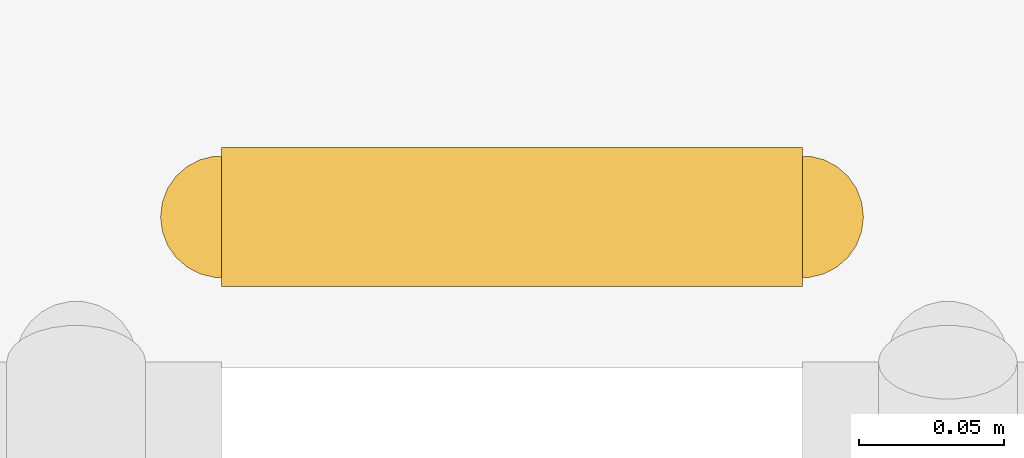
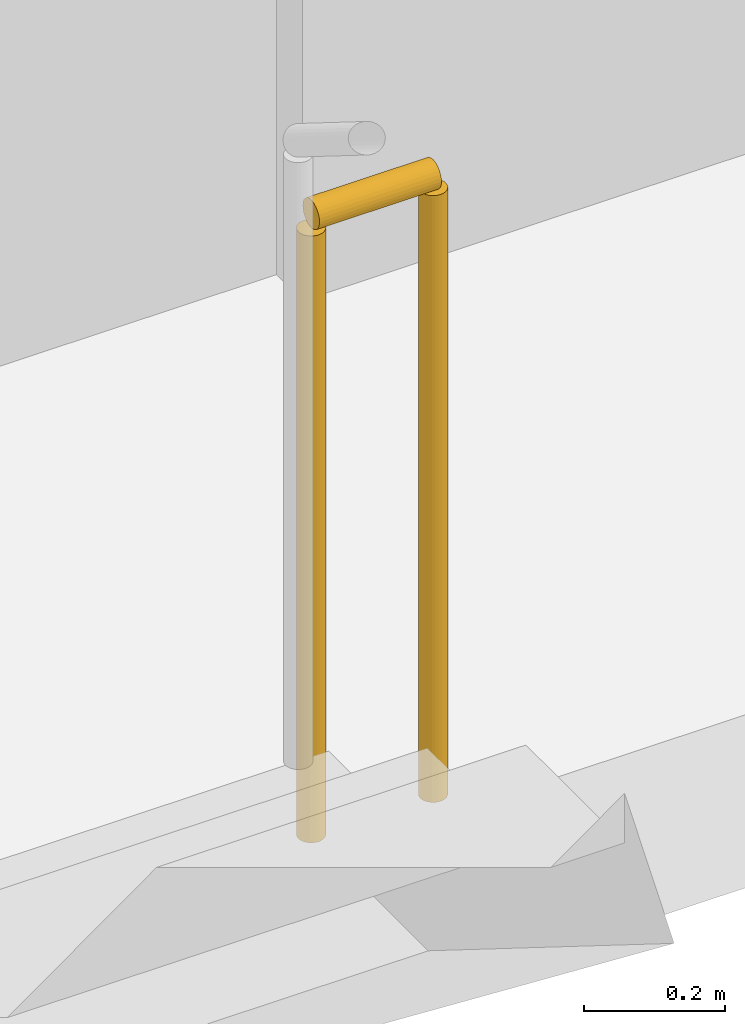
# One storey, part 20 of 20: 1 railing.
"""IFC4 building model written with IfcOpenShell, lengths in metres."""

from ifc_helpers import new_model, si_unit, direction, frame, origin, origin_2d, place, context, subcontext, project, spatial, circle, extrude, material, type_object, element, save


model = new_model("IFC4")

# Units and contexts
model_context = context("Model", 3, precision=1e-05, world=origin(), true_north=direction((0.0, 1.0)))
body_context = subcontext(model_context, "Body", "Model", "MODEL_VIEW")
ifc_project = project(units=[si_unit("LENGTHUNIT", "METRE"), si_unit("AREAUNIT", "SQUARE_METRE"), si_unit("VOLUMEUNIT", "CUBIC_METRE"), si_unit("PLANEANGLEUNIT", "RADIAN"), si_unit("MASSUNIT", "GRAM", prefix="KILO")], contexts=[model_context])

# Site, building, storey
site_placement = place(None, origin())
site = spatial("IfcSite", under=ifc_project, at=site_placement, CompositionType="ELEMENT")
building_placement = place(site_placement, origin())
building = spatial("IfcBuilding", under=site, at=building_placement, Name="Kiln Ring Residences", CompositionType="ELEMENT")
storey_placement = place(building_placement, frame((0.0, 0.0, 37.5)))
storey = spatial("IfcBuildingStorey", under=building, at=storey_placement, Name="L08", CompositionType="ELEMENT", Elevation=37.5)

# Railing
ifc_material = material(Name="Stainless steel", Category="steel")
railing_type = type_object("IfcRailingType", Name="CORE-STAIR-GUARD", PredefinedType="GUARDRAIL", material=ifc_material)
railing_placement = place(storey_placement, frame((22.0, 8.449951171875, 0.0)))
element("IfcRailing", 1, at=railing_placement, inside=storey, type_object=railing_type, Name="L08 E-STN stair guard 4", PredefinedType="GUARDRAIL", context=body_context, shape_type="SweptSolid", body=[
    extrude(circle(Radius=0.02392578125, at=origin_2d()), frame((0.0, 0.0, 1.076171875), z_axis=(1.0, 0.0, 0.0), x_axis=(0.0, 1.0, 0.0)), (0.0, 0.0, 1.0), 0.199951171875),
    extrude(circle(Radius=0.02099609375, at=origin_2d()), origin(), (0.0, 0.0, 1.0), 1.052001953125),
    extrude(circle(Radius=0.02099609375, at=origin_2d()), frame((0.199951171875, 0.0, 0.0)), (0.0, 0.0, 1.0), 1.052001953125),
])

save(model, "model.ifc")
